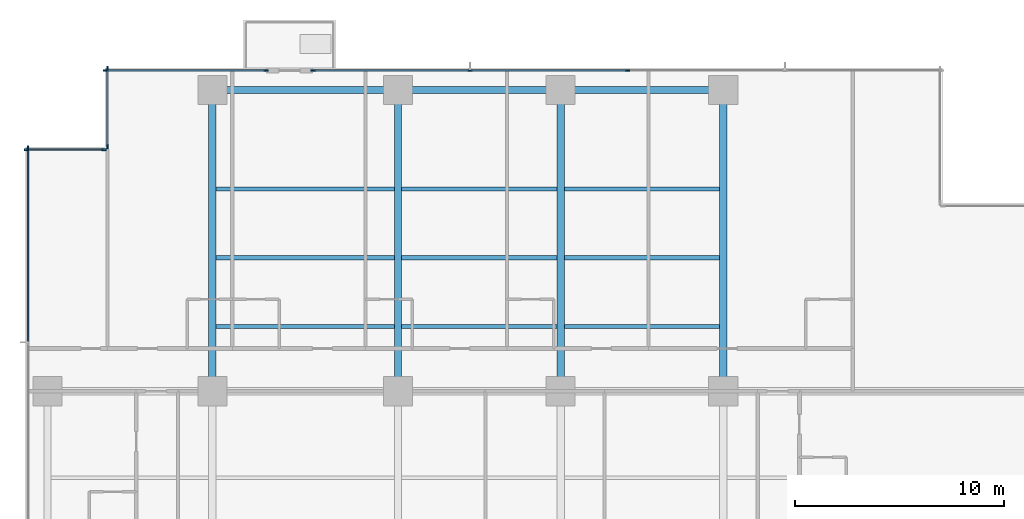
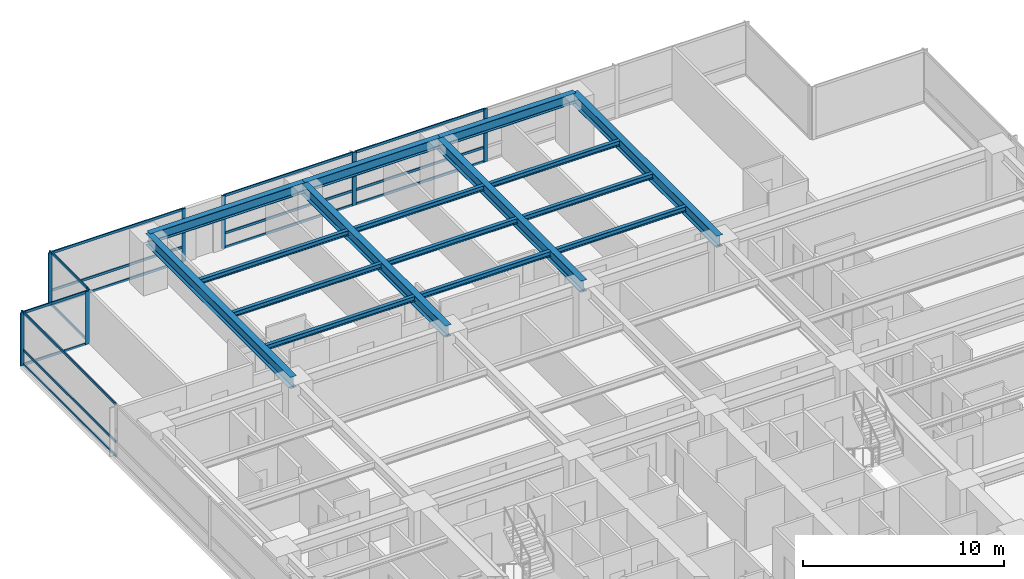
# One storey, part 4 of 17: 26 members, 16 beams, 5 elements without a shape of their own.
"""IFC4 building model written with IfcOpenShell, lengths in metres."""

import ifcopenshell
import ifcopenshell.guid

model = None  # the IFC model being written
_history = None  # IfcOwnerHistory: only IFC2X3 demands one
_inside = {}  # id of a spatial element -> (the spatial element, [elements in it])
_under = {}  # id of a project, library or spatial element -> (it, [spatial elements below it])
_declared = {}  # id of a project -> (the project, [libraries it declares])
_typed = {}  # id of a type object -> (the type object, [elements of that type])
_made_of = {}  # id of a material, layer set ... -> (it, [elements and type objects made of it])


def new_model(schema):
    """Start an empty IFC model of exactly this schema.

    Asked for "IFC4X3", IfcOpenShell would pick the latest addendum, in which some entities
    have other attributes; the version numbers below select the first issue.
    IFC2X3 requires an IfcOwnerHistory on every rooted entity: one is made here for all.
    """
    global model, _history
    if schema == "IFC4X3":
        model = ifcopenshell.file(schema_version=(4, 3, 0, 0))
    else:
        model = ifcopenshell.file(schema=schema)
    _inside.clear()
    _under.clear()
    _declared.clear()
    _typed.clear()
    _made_of.clear()
    _history = None
    if model.schema == "IFC2X3":
        org = make("IfcOrganization", Name="unknown")
        user = make(
            "IfcPersonAndOrganization",
            ThePerson=make("IfcPerson", FamilyName="unknown"),
            TheOrganization=org,
        )
        app = make(
            "IfcApplication",
            ApplicationDeveloper=org,
            Version="unknown",
            ApplicationFullName="unknown",
            ApplicationIdentifier="unknown",
        )
        _history = make(
            "IfcOwnerHistory",
            OwningUser=user,
            OwningApplication=app,
            ChangeAction="ADDED",
            CreationDate=0,
        )
    return model


def make(cls, **values):
    """One entity of the class cls with the attributes given. An attribute that is None is left unset."""
    return model.create_entity(
        cls, **{name: value for name, value in values.items() if value is not None}
    )


def rooted(cls, **values):
    """An entity with a GlobalId (a new one), such as an element, a storey or a relation."""
    return make(cls, GlobalId=ifcopenshell.guid.new(), OwnerHistory=_history, **values)


def si_unit(unit_type, name, prefix=None):
    """IfcSIUnit, for example si_unit("LENGTHUNIT", "METRE", prefix="MILLI")."""
    return make("IfcSIUnit", UnitType=unit_type, Prefix=prefix, Name=name)


def assignment(units):
    """IfcUnitAssignment: the units of a project."""
    return None if units is None else make("IfcUnitAssignment", Units=units)


def point(xyz):
    """IfcCartesianPoint."""
    return None if xyz is None else make("IfcCartesianPoint", Coordinates=xyz)


def direction(xyz):
    """IfcDirection."""
    return None if xyz is None else make("IfcDirection", DirectionRatios=xyz)


def frame(location, z_axis=None, x_axis=None):
    """IfcAxis2Placement3D, a coordinate frame: its origin and axes. An axis left out is left unset."""
    return make(
        "IfcAxis2Placement3D",
        Location=point(location),
        Axis=direction(z_axis),
        RefDirection=direction(x_axis),
    )


def frame_2d(location, x_axis=None):
    """IfcAxis2Placement2D, a coordinate frame in the plane: its origin and x axis."""
    return make(
        "IfcAxis2Placement2D", Location=point(location), RefDirection=direction(x_axis)
    )


def origin():
    """The frame at (0, 0, 0) with its axes left unset."""
    return frame((0.0, 0.0, 0.0))


def origin_2d():
    """The frame at (0, 0) in the plane with its x axis left unset."""
    return frame_2d((0.0, 0.0))


def place(relative_to, where):
    """IfcLocalPlacement: puts the frame where relative to a parent placement (None: the world)."""
    return make(
        "IfcLocalPlacement", PlacementRelTo=relative_to, RelativePlacement=where
    )


def context(
    kind, dimensions, precision=None, world=None, true_north=None, identifier=None
):
    """IfcGeometricRepresentationContext, for example the 3D "Model" context."""
    return make(
        "IfcGeometricRepresentationContext",
        ContextIdentifier=identifier,
        ContextType=kind,
        CoordinateSpaceDimension=dimensions,
        Precision=precision,
        WorldCoordinateSystem=world,
        TrueNorth=true_north,
    )


def subcontext(parent, identifier, kind, view, scale=None):
    """IfcGeometricRepresentationSubContext, for example "Body" below "Model"."""
    return make(
        "IfcGeometricRepresentationSubContext",
        ContextIdentifier=identifier,
        ContextType=kind,
        ParentContext=parent,
        TargetScale=scale,
        TargetView=view,
    )


def project(units=None, contexts=None):
    """IfcProject with its units and contexts."""
    return rooted(
        "IfcProject",
        Name="project",
        RepresentationContexts=contexts,
        UnitsInContext=assignment(units),
    )


def spatial(cls, under=None, at=None, **own):
    """A site, building, storey or space (cls), placed at a placement, below another one or the project."""
    s = rooted(cls, ObjectPlacement=at, **own)
    if under is not None:
        _under.setdefault(under.id(), (under, []))[1].append(s)
    return s


def profile(cls, at=None, kind="AREA", **sizes):
    """A parametric profile (cls). Its sizes go by their IFC names, for example OverallWidth=200.0."""
    return make(cls, ProfileType=kind, Position=at, **sizes)


def rectangle(**sizes):
    """IfcRectangleProfileDef."""
    return profile("IfcRectangleProfileDef", **sizes)


def i_section(**sizes):
    """IfcIShapeProfileDef."""
    return profile("IfcIShapeProfileDef", **sizes)


def extrude(swept, where, along, depth):
    """IfcExtrudedAreaSolid: the profile swept, set in the frame where, extruded along a direction by depth."""
    return make(
        "IfcExtrudedAreaSolid",
        SweptArea=swept,
        Position=where,
        ExtrudedDirection=direction(along),
        Depth=depth,
    )


def shape(context_of_items, identifier, shape_type, items):
    """IfcShapeRepresentation: the items that make up one representation, for example the "Body"."""
    return make(
        "IfcShapeRepresentation",
        ContextOfItems=context_of_items,
        RepresentationIdentifier=identifier,
        RepresentationType=shape_type,
        Items=items,
    )


def material(Name=None, Category=None):
    """IfcMaterial."""
    return make("IfcMaterial", Name=Name, Category=Category)


def layer(
    of_material, thickness, ventilated=None, Name=None, Category=None, Priority=None
):
    """IfcMaterialLayer: one layer of a wall or slab, of a material (None: an air gap)."""
    return make(
        "IfcMaterialLayer",
        Material=of_material,
        LayerThickness=thickness,
        IsVentilated=ventilated,
        Name=Name,
        Category=Category,
        Priority=Priority,
    )


def layer_set(layers, Name=None):
    """IfcMaterialLayerSet."""
    return make("IfcMaterialLayerSet", MaterialLayers=layers, LayerSetName=Name)


def material_profile(
    of_material, cross_section, Name=None, Category=None, Priority=None
):
    """IfcMaterialProfile: a cross section and its material."""
    return make(
        "IfcMaterialProfile",
        Name=Name,
        Material=of_material,
        Profile=cross_section,
        Priority=Priority,
        Category=Category,
    )


def profile_set(profiles, Name=None, composite=None):
    """IfcMaterialProfileSet."""
    return make(
        "IfcMaterialProfileSet",
        Name=Name,
        MaterialProfiles=profiles,
        CompositeProfile=composite,
    )


def made_of(thing, what):
    """Note that an element or type object is made of a material, layer set ...; save() writes the relation."""
    if what is not None:
        _made_of.setdefault(what.id(), (what, []))[1].append(thing)
    return thing


def type_object(cls, material=None, **own):
    """A type object (cls), such as IfcWallType, which elements share."""
    return made_of(rooted(cls, **own), material)


def element(
    cls,
    number,
    at=None,
    inside=None,
    cuts=None,
    type_object=None,
    material=None,
    context=None,
    identifier="Body",
    shape_type=None,
    held_by="IfcProductDefinitionShape",
    body=None,
    shapes=None,
    **own,
):
    """One element of the class cls, such as IfcWall. Its Tag is "e" and its number.

    at: its placement. inside: the storey or other place that contains it. cuts: it is an
    opening in that element (IfcRelVoidsElement). A single representation is given by context,
    identifier, shape_type and body (its items); several are given by shapes. held_by: the class
    of the entity that holds the representations. save() writes the other relations.
    """
    e = rooted(cls, Tag="e%d" % number, ObjectPlacement=at, **own)
    if body is not None:
        shapes = [shape(context, identifier, shape_type, body)]
    if shapes is not None:
        e.Representation = make(held_by, Representations=shapes)
    if inside is not None:
        _inside.setdefault(inside.id(), (inside, []))[1].append(e)
    if cuts is not None:
        rooted(
            "IfcRelVoidsElement", RelatingBuildingElement=cuts, RelatedOpeningElement=e
        )
    if type_object is not None:
        _typed.setdefault(type_object.id(), (type_object, []))[1].append(e)
    return made_of(e, material)


def aggregate(whole, parts):
    """IfcRelAggregates: a whole, such as a stair, and the parts it consists of."""
    return rooted("IfcRelAggregates", RelatingObject=whole, RelatedObjects=parts)


def save(model, path):
    """Write the relations noted so far, then the file.

    IfcRelAggregates (storeys below a building ...), IfcRelContainedInSpatialStructure (elements
    in a storey), IfcRelDefinesByType, IfcRelAssociatesMaterial and IfcRelDeclares: one each for
    every whole, place, type object, material and project.
    """
    for whole, parts in _under.values():
        aggregate(whole, parts)
    for where, things in _inside.values():
        rooted(
            "IfcRelContainedInSpatialStructure",
            RelatedElements=things,
            RelatingStructure=where,
        )
    for kind, things in _typed.values():
        rooted("IfcRelDefinesByType", RelatedObjects=things, RelatingType=kind)
    for what, things in _made_of.values():
        rooted("IfcRelAssociatesMaterial", RelatedObjects=things, RelatingMaterial=what)
    for by, libraries in _declared.values():
        rooted("IfcRelDeclares", RelatingContext=by, RelatedDefinitions=libraries)
    model.write(path)


model = new_model("IFC4")

# Units and contexts
model_context = context("Model", 3, precision=1e-05, world=origin(), true_north=direction((0.0, 1.0)))
body_context = subcontext(model_context, "Body", "Model", "MODEL_VIEW")
ifc_project = project(units=[si_unit("LENGTHUNIT", "METRE"), si_unit("AREAUNIT", "SQUARE_METRE"), si_unit("VOLUMEUNIT", "CUBIC_METRE"), si_unit("PLANEANGLEUNIT", "RADIAN"), si_unit("MASSUNIT", "GRAM", prefix="KILO")], contexts=[model_context])

# Site, building, storey
site_placement = place(None, origin())
site = spatial("IfcSite", under=ifc_project, at=site_placement, CompositionType="ELEMENT")
building_placement = place(site_placement, origin())
building = spatial("IfcBuilding", under=site, at=building_placement, Name="Qalmaran Belvedere Hotel", CompositionType="ELEMENT")
storey_placement = place(building_placement, frame((0.0, 0.0, 33.39990234375)))
storey = spatial("IfcBuildingStorey", under=building, at=storey_placement, Name="L07", CompositionType="ELEMENT", Elevation=33.39990234375)

# Beams
ifc_material_1 = material(Name="Steel S355JR", Category="steel")
ifc_material_profile_1 = material_profile(ifc_material_1, i_section(OverallWidth=0.202880859375, OverallDepth=0.302978515625, WebThickness=0.007568359375, FlangeThickness=0.01318359375, FilletRadius=0.012939453125, at=origin_2d()), Name="W310X60")
ifc_profile_set_1 = profile_set([ifc_material_profile_1], Name="Steel S355JR")
beam_type_1 = type_object("IfcBeamType", Name="BM-JST-W310X60", PredefinedType="JOIST", material=ifc_profile_set_1)
beam_1_placement = place(storey_placement, frame((20.4755859375, 36.10009765625, 3.068603515625), z_axis=(1.0, 0.0, 0.0), x_axis=(0.0, 1.0, 0.0)))
element("IfcBeam", 1, at=beam_1_placement, inside=storey, type_object=beam_type_1, Name="L07 North Floor Joist 042", PredefinedType="JOIST", context=body_context, shape_type="SweptSolid", body=[
    extrude(i_section(OverallWidth=0.202880859375, OverallDepth=0.302978515625, WebThickness=0.007568359375, FlangeThickness=0.01318359375, FilletRadius=0.012939453125, at=origin_2d()), origin(), (0.0, 0.0, 1.0), 8.548828125),
])
for number, where, z_axis, x_axis, name in (
    (2, (29.37548828125, 36.10009765625, 3.068603515625), (1.0, 0.0, 0.0), (0.0, 1.0, 0.0), "L07 North Floor Joist 043"),
    (3, (37.175537109375, 36.10009765625, 3.068603515625), (1.0, 0.0, 0.0), (0.0, 1.0, 0.0), "L07 North Floor Joist 044"),
):
    element("IfcBeam", number, at=place(storey_placement, frame(where, z_axis=z_axis, x_axis=x_axis)), inside=storey, type_object=beam_type_1, Name=name, PredefinedType="JOIST", context=body_context, shape_type="SweptSolid", body=[
        extrude(i_section(OverallWidth=0.202880859375, OverallDepth=0.302978515625, WebThickness=0.007568359375, FlangeThickness=0.01318359375, FilletRadius=0.012939453125, at=origin_2d()), origin(), (0.0, 0.0, 1.0), 7.448974609375),
    ])
beam_2_placement = place(storey_placement, frame((20.4755859375, 39.39990234375, 3.068603515625), z_axis=(1.0, 0.0, 0.0), x_axis=(0.0, 1.0, 0.0)))
element("IfcBeam", 4, at=beam_2_placement, inside=storey, type_object=beam_type_1, Name="L07 North Floor Joist 045", PredefinedType="JOIST", context=body_context, shape_type="SweptSolid", body=[
    extrude(i_section(OverallWidth=0.202880859375, OverallDepth=0.302978515625, WebThickness=0.007568359375, FlangeThickness=0.01318359375, FilletRadius=0.012939453125, at=origin_2d()), origin(), (0.0, 0.0, 1.0), 8.548828125),
])
for number, where, z_axis, x_axis, name in (
    (5, (29.37548828125, 39.39990234375, 3.068603515625), (1.0, 0.0, 0.0), (0.0, 1.0, 0.0), "L07 North Floor Joist 046"),
    (6, (37.175537109375, 39.39990234375, 3.068603515625), (1.0, 0.0, 0.0), (0.0, 1.0, 0.0), "L07 North Floor Joist 047"),
):
    element("IfcBeam", number, at=place(storey_placement, frame(where, z_axis=z_axis, x_axis=x_axis)), inside=storey, type_object=beam_type_1, Name=name, PredefinedType="JOIST", context=body_context, shape_type="SweptSolid", body=[
        extrude(i_section(OverallWidth=0.202880859375, OverallDepth=0.302978515625, WebThickness=0.007568359375, FlangeThickness=0.01318359375, FilletRadius=0.012939453125, at=origin_2d()), origin(), (0.0, 0.0, 1.0), 7.448974609375),
    ])
beam_3_placement = place(storey_placement, frame((20.4755859375, 42.699951171875, 3.068603515625), z_axis=(1.0, 0.0, 0.0), x_axis=(0.0, 1.0, 0.0)))
element("IfcBeam", 7, at=beam_3_placement, inside=storey, type_object=beam_type_1, Name="L07 North Floor Joist 048", PredefinedType="JOIST", context=body_context, shape_type="SweptSolid", body=[
    extrude(i_section(OverallWidth=0.202880859375, OverallDepth=0.302978515625, WebThickness=0.007568359375, FlangeThickness=0.01318359375, FilletRadius=0.012939453125, at=origin_2d()), origin(), (0.0, 0.0, 1.0), 8.548828125),
])
for number, where, z_axis, x_axis, name in (
    (8, (29.37548828125, 42.699951171875, 3.068603515625), (1.0, 0.0, 0.0), (0.0, 1.0, 0.0), "L07 North Floor Joist 049"),
    (9, (37.175537109375, 42.699951171875, 3.068603515625), (1.0, 0.0, 0.0), (0.0, 1.0, 0.0), "L07 North Floor Joist 050"),
):
    element("IfcBeam", number, at=place(storey_placement, frame(where, z_axis=z_axis, x_axis=x_axis)), inside=storey, type_object=beam_type_1, Name=name, PredefinedType="JOIST", context=body_context, shape_type="SweptSolid", body=[
        extrude(i_section(OverallWidth=0.202880859375, OverallDepth=0.302978515625, WebThickness=0.007568359375, FlangeThickness=0.01318359375, FilletRadius=0.012939453125, at=origin_2d()), origin(), (0.0, 0.0, 1.0), 7.448974609375),
    ])
ifc_material_profile_2 = material_profile(ifc_material_1, i_section(OverallWidth=0.326904296875, OverallDepth=0.6220703125, WebThickness=0.015380859375, FlangeThickness=0.0244140625, FilletRadius=0.02001953125, at=origin_2d()), Name="W610X195")
ifc_profile_set_2 = profile_set([ifc_material_profile_2], Name="Steel S355JR")
beam_type_2 = type_object("IfcBeamType", Name="BM-SP1-W610X195", PredefinedType="SPANDREL", material=ifc_profile_set_2)
beam_4_placement = place(storey_placement, frame((20.300048828125, 47.449951171875, 2.9091796875), z_axis=(1.0, 0.0, 0.0), x_axis=(0.0, 1.0, 0.0)))
element("IfcBeam", 10, at=beam_4_placement, inside=storey, type_object=beam_type_2, Name="L07 Perimeter Spandrel 05", PredefinedType="SPANDREL", context=body_context, shape_type="SweptSolid", body=[
    extrude(i_section(OverallWidth=0.326904296875, OverallDepth=0.6220703125, WebThickness=0.015380859375, FlangeThickness=0.0244140625, FilletRadius=0.02001953125, at=origin_2d()), origin(), (0.0, 0.0, 1.0), 8.89990234375),
])
for number, where, z_axis, x_axis, name in (
    (11, (29.199951171875, 47.449951171875, 2.9091796875), (1.0, 0.0, 0.0), (0.0, 1.0, 0.0), "L07 Perimeter Spandrel 06"),
    (12, (37.0, 47.449951171875, 2.9091796875), (1.0, 0.0, 0.0), (0.0, 1.0, 0.0), "L07 Perimeter Spandrel 07"),
):
    element("IfcBeam", number, at=place(storey_placement, frame(where, z_axis=z_axis, x_axis=x_axis)), inside=storey, type_object=beam_type_2, Name=name, PredefinedType="SPANDREL", context=body_context, shape_type="SweptSolid", body=[
        extrude(i_section(OverallWidth=0.326904296875, OverallDepth=0.6220703125, WebThickness=0.015380859375, FlangeThickness=0.0244140625, FilletRadius=0.02001953125, at=origin_2d()), origin(), (0.0, 0.0, 1.0), 7.800048828125),
    ])
ifc_material_profile_3 = material_profile(ifc_material_1, i_section(OverallWidth=0.35498046875, OverallDepth=0.695068359375, WebThickness=0.015380859375, FlangeThickness=0.02490234375, FilletRadius=0.02197265625, at=origin_2d()), Name="W690X217")
ifc_profile_set_3 = profile_set([ifc_material_profile_3], Name="Steel S355JR")
beam_type_3 = type_object("IfcBeamType", Name="BM-Z1-W690X217", PredefinedType="USERDEFINED", material=ifc_profile_set_3)
for number, where, z_axis, x_axis, name in (
    (13, (20.300048828125, 33.0, 2.87255859375), (0.0, 1.0, 0.0), (-1.0, 0.0, 0.0), "L07 North Bay Girder 15"),
    (14, (29.199951171875, 33.0, 2.87255859375), (0.0, 1.0, 0.0), (-1.0, 0.0, 0.0), "L07 North Bay Girder 17"),
    (15, (37.0, 33.0, 2.87255859375), (0.0, 1.0, 0.0), (-1.0, 0.0, 0.0), "L07 North Bay Girder 19"),
    (16, (44.800048828125, 33.0, 2.87255859375), (0.0, 1.0, 0.0), (-1.0, 0.0, 0.0), "L07 North Bay Girder 21"),
):
    element("IfcBeam", number, at=place(storey_placement, frame(where, z_axis=z_axis, x_axis=x_axis)), inside=storey, type_object=beam_type_3, Name=name, ObjectType="GIRDER", PredefinedType="USERDEFINED", context=body_context, shape_type="SweptSolid", body=[
        extrude(i_section(OverallWidth=0.35498046875, OverallDepth=0.695068359375, WebThickness=0.015380859375, FlangeThickness=0.02490234375, FilletRadius=0.02197265625, at=origin_2d()), origin(), (0.0, 0.0, 1.0), 14.449951171875),
    ])

# Curtain wall, members
ifc_material_2 = material(Name="Anodised Bronze Aluminium", Category="aluminium")
ifc_layer = layer(ifc_material_2, 0.2099609375, Name="Anodised Bronze Aluminium")
ifc_layer_set = layer_set([ifc_layer], Name="Anodised Bronze Aluminium")
curtain_wall_type = type_object("IfcCurtainWallType", Name="CW2-TOWER-LOWER", PredefinedType="NOTDEFINED", material=ifc_layer_set)
curtain_wall_1_placement = place(storey_placement, origin())
curtain_wall_1 = element("IfcCurtainWall", 17, at=curtain_wall_1_placement, inside=storey, type_object=curtain_wall_type, Name="L07 Curtain Wall CW2", PredefinedType="NOTDEFINED")
ifc_material_profile_4 = material_profile(ifc_material_2, rectangle(XDim=0.074951171875, YDim=0.219970703125, at=origin_2d()), Name="CWM75X220")
ifc_profile_set_4 = profile_set([ifc_material_profile_4], Name="Anodised Bronze Aluminium")
member_type_1 = type_object("IfcMemberType", Name="CWM-75X220", PredefinedType="MULLION", material=ifc_profile_set_4)
member_1_placement = place(storey_placement, frame((22.862548828125, 48.3798828125, 0.0), z_axis=(0.0, 0.0, 1.0), x_axis=(0.0, -1.0, 0.0)))
member_1 = element("IfcMember", 18, at=member_1_placement, type_object=member_type_1, Name="CW2 mullion 1", PredefinedType="MULLION", context=body_context, shape_type="SweptSolid", body=[
    extrude(rectangle(XDim=0.074951171875, YDim=0.219970703125, at=origin_2d()), origin(), (0.0, 0.0, 1.0), 3.22021484375),
])
member_2_placement = place(storey_placement, frame((15.1875, 48.3798828125, 0.0), z_axis=(0.0, 0.0, 1.0), x_axis=(0.0, -1.0, 0.0)))
member_2 = element("IfcMember", 19, at=member_2_placement, type_object=member_type_1, Name="CW2 mullion 2", PredefinedType="MULLION", context=body_context, shape_type="SweptSolid", body=[
    extrude(rectangle(XDim=0.074951171875, YDim=0.219970703125, at=origin_2d()), origin(), (0.0, 0.0, 1.0), 3.22021484375),
])

curtain_wall_2_placement = place(storey_placement, origin())
curtain_wall_2 = element("IfcCurtainWall", 20, at=curtain_wall_2_placement, inside=storey, type_object=curtain_wall_type, Name="L07 Curtain Wall CW2", PredefinedType="NOTDEFINED")
member_3_placement = place(storey_placement, frame((40.199951171875, 48.3798828125, 0.0), z_axis=(0.0, 0.0, 1.0), x_axis=(0.0, -1.0, 0.0)))
member_3 = element("IfcMember", 21, at=member_3_placement, type_object=member_type_1, Name="CW2 mullion 3", PredefinedType="MULLION", context=body_context, shape_type="SweptSolid", body=[
    extrude(rectangle(XDim=0.074951171875, YDim=0.219970703125, at=origin_2d()), origin(), (0.0, 0.0, 1.0), 3.22021484375),
])
member_4_placement = place(storey_placement, frame((32.64990234375, 48.3798828125, 0.0), z_axis=(0.0, 0.0, 1.0), x_axis=(0.0, -1.0, 0.0)))
member_4 = element("IfcMember", 22, at=member_4_placement, type_object=member_type_1, Name="CW2 mullion 4", PredefinedType="MULLION", context=body_context, shape_type="SweptSolid", body=[
    extrude(rectangle(XDim=0.074951171875, YDim=0.219970703125, at=origin_2d()), origin(), (0.0, 0.0, 1.0), 3.22021484375),
])
member_5_placement = place(storey_placement, frame((25.137451171875, 48.3798828125, 0.0), z_axis=(0.0, 0.0, 1.0), x_axis=(0.0, -1.0, 0.0)))
member_5 = element("IfcMember", 23, at=member_5_placement, type_object=member_type_1, Name="CW2 mullion 5", PredefinedType="MULLION", context=body_context, shape_type="SweptSolid", body=[
    extrude(rectangle(XDim=0.074951171875, YDim=0.219970703125, at=origin_2d()), origin(), (0.0, 0.0, 1.0), 3.22021484375),
])

curtain_wall_3_placement = place(storey_placement, origin())
curtain_wall_3 = element("IfcCurtainWall", 24, at=curtain_wall_3_placement, inside=storey, type_object=curtain_wall_type, Name="L07 Curtain Wall CW2", PredefinedType="NOTDEFINED")
member_6_placement = place(storey_placement, frame((15.27001953125, 48.46240234375, 0.0), z_axis=(0.0, 0.0, 1.0), x_axis=(1.0, 0.0, 0.0)))
member_6 = element("IfcMember", 25, at=member_6_placement, type_object=member_type_1, Name="CW2 mullion 1", PredefinedType="MULLION", context=body_context, shape_type="SweptSolid", body=[
    extrude(rectangle(XDim=0.074951171875, YDim=0.219970703125, at=origin_2d()), origin(), (0.0, 0.0, 1.0), 3.22021484375),
])
member_7_placement = place(storey_placement, frame((15.27001953125, 44.737548828125, 0.0), z_axis=(0.0, 0.0, 1.0), x_axis=(1.0, 0.0, 0.0)))
member_7 = element("IfcMember", 26, at=member_7_placement, type_object=member_type_1, Name="CW2 mullion 2", PredefinedType="MULLION", context=body_context, shape_type="SweptSolid", body=[
    extrude(rectangle(XDim=0.074951171875, YDim=0.219970703125, at=origin_2d()), origin(), (0.0, 0.0, 1.0), 3.22021484375),
])

curtain_wall_4_placement = place(storey_placement, origin())
curtain_wall_4 = element("IfcCurtainWall", 27, at=curtain_wall_4_placement, inside=storey, type_object=curtain_wall_type, Name="L07 Curtain Wall CW2", PredefinedType="NOTDEFINED")
member_8_placement = place(storey_placement, frame((15.112548828125, 44.580078125, 0.0), z_axis=(0.0, 0.0, 1.0), x_axis=(0.0, -1.0, 0.0)))
member_8 = element("IfcMember", 28, at=member_8_placement, type_object=member_type_1, Name="CW2 mullion 1", PredefinedType="MULLION", context=body_context, shape_type="SweptSolid", body=[
    extrude(rectangle(XDim=0.074951171875, YDim=0.219970703125, at=origin_2d()), origin(), (0.0, 0.0, 1.0), 3.22021484375),
])
member_9_placement = place(storey_placement, frame((11.387451171875, 44.580078125, 0.0), z_axis=(0.0, 0.0, 1.0), x_axis=(0.0, -1.0, 0.0)))
member_9 = element("IfcMember", 29, at=member_9_placement, type_object=member_type_1, Name="CW2 mullion 2", PredefinedType="MULLION", context=body_context, shape_type="SweptSolid", body=[
    extrude(rectangle(XDim=0.074951171875, YDim=0.219970703125, at=origin_2d()), origin(), (0.0, 0.0, 1.0), 3.22021484375),
])

# Curtain wall, member
curtain_wall_5_placement = place(storey_placement, origin())
curtain_wall_5 = element("IfcCurtainWall", 30, at=curtain_wall_5_placement, inside=storey, type_object=curtain_wall_type, Name="L07 Curtain Wall CW2", PredefinedType="NOTDEFINED")
member_10_placement = place(storey_placement, frame((11.469970703125, 44.66259765625, 0.0), z_axis=(0.0, 0.0, 1.0), x_axis=(1.0, 0.0, 0.0)))
member_10 = element("IfcMember", 31, at=member_10_placement, type_object=member_type_1, Name="CW2 mullion 1", PredefinedType="MULLION", context=body_context, shape_type="SweptSolid", body=[
    extrude(rectangle(XDim=0.074951171875, YDim=0.219970703125, at=origin_2d()), origin(), (0.0, 0.0, 1.0), 3.22021484375),
])

# Member
ifc_material_profile_5 = material_profile(ifc_material_2, rectangle(XDim=0.070068359375, YDim=0.14990234375, at=origin_2d()), Name="CWT70X150")
ifc_profile_set_5 = profile_set([ifc_material_profile_5], Name="Anodised Bronze Aluminium")
member_type_2 = type_object("IfcMemberType", Name="CWT-70X150", PredefinedType="USERDEFINED", material=ifc_profile_set_5)
member_11_placement = place(storey_placement, frame((22.824951171875, 48.3798828125, 0.03515625), z_axis=(-1.0, 0.0, 0.0), x_axis=(0.0, -1.0, 0.0)))
member_11 = element("IfcMember", 32, at=member_11_placement, type_object=member_type_2, Name="CW2 transom 1.1", ObjectType="TRANSOM", PredefinedType="USERDEFINED", context=body_context, shape_type="SweptSolid", body=[
    extrude(rectangle(XDim=0.070068359375, YDim=0.14990234375, at=origin_2d()), origin(), (0.0, 0.0, 1.0), 7.599853515625),
])

member_12_placement = place(storey_placement, frame((22.824951171875, 48.3798828125, 0.901611328125), z_axis=(-1.0, 0.0, 0.0), x_axis=(0.0, -1.0, 0.0)))
member_12 = element("IfcMember", 33, at=member_12_placement, type_object=member_type_2, Name="CW2 transom 1.2", ObjectType="TRANSOM", PredefinedType="USERDEFINED", context=body_context, shape_type="SweptSolid", body=[
    extrude(rectangle(XDim=0.070068359375, YDim=0.14990234375, at=origin_2d()), origin(), (0.0, 0.0, 1.0), 7.599853515625),
])

member_13_placement = place(storey_placement, frame((22.824951171875, 48.3798828125, 3.18505859375), z_axis=(-1.0, 0.0, 0.0), x_axis=(0.0, -1.0, 0.0)))
member_13 = element("IfcMember", 34, at=member_13_placement, type_object=member_type_2, Name="CW2 transom 1.3", ObjectType="TRANSOM", PredefinedType="USERDEFINED", context=body_context, shape_type="SweptSolid", body=[
    extrude(rectangle(XDim=0.070068359375, YDim=0.14990234375, at=origin_2d()), origin(), (0.0, 0.0, 1.0), 7.599853515625),
])

aggregate(curtain_wall_1, [member_1, member_2, member_11, member_12, member_13])

member_14_placement = place(storey_placement, frame((40.16259765625, 48.3798828125, 0.03515625), z_axis=(-1.0, 0.0, 0.0), x_axis=(0.0, -1.0, 0.0)))
member_14 = element("IfcMember", 35, at=member_14_placement, type_object=member_type_2, Name="CW2 transom 3.1", ObjectType="TRANSOM", PredefinedType="USERDEFINED", context=body_context, shape_type="SweptSolid", body=[
    extrude(rectangle(XDim=0.070068359375, YDim=0.14990234375, at=origin_2d()), origin(), (0.0, 0.0, 1.0), 7.47509765625),
])

member_15_placement = place(storey_placement, frame((40.16259765625, 48.3798828125, 0.901611328125), z_axis=(-1.0, 0.0, 0.0), x_axis=(0.0, -1.0, 0.0)))
member_15 = element("IfcMember", 36, at=member_15_placement, type_object=member_type_2, Name="CW2 transom 3.2", ObjectType="TRANSOM", PredefinedType="USERDEFINED", context=body_context, shape_type="SweptSolid", body=[
    extrude(rectangle(XDim=0.070068359375, YDim=0.14990234375, at=origin_2d()), origin(), (0.0, 0.0, 1.0), 7.47509765625),
])

member_16_placement = place(storey_placement, frame((40.16259765625, 48.3798828125, 3.18505859375), z_axis=(-1.0, 0.0, 0.0), x_axis=(0.0, -1.0, 0.0)))
member_16 = element("IfcMember", 37, at=member_16_placement, type_object=member_type_2, Name="CW2 transom 3.3", ObjectType="TRANSOM", PredefinedType="USERDEFINED", context=body_context, shape_type="SweptSolid", body=[
    extrude(rectangle(XDim=0.070068359375, YDim=0.14990234375, at=origin_2d()), origin(), (0.0, 0.0, 1.0), 7.47509765625),
])

member_17_placement = place(storey_placement, frame((32.612548828125, 48.3798828125, 0.03515625), z_axis=(-1.0, 0.0, 0.0), x_axis=(0.0, -1.0, 0.0)))
member_17 = element("IfcMember", 38, at=member_17_placement, type_object=member_type_2, Name="CW2 transom 4.1", ObjectType="TRANSOM", PredefinedType="USERDEFINED", context=body_context, shape_type="SweptSolid", body=[
    extrude(rectangle(XDim=0.070068359375, YDim=0.14990234375, at=origin_2d()), origin(), (0.0, 0.0, 1.0), 7.4375),
])

member_18_placement = place(storey_placement, frame((32.612548828125, 48.3798828125, 0.901611328125), z_axis=(-1.0, 0.0, 0.0), x_axis=(0.0, -1.0, 0.0)))
member_18 = element("IfcMember", 39, at=member_18_placement, type_object=member_type_2, Name="CW2 transom 4.2", ObjectType="TRANSOM", PredefinedType="USERDEFINED", context=body_context, shape_type="SweptSolid", body=[
    extrude(rectangle(XDim=0.070068359375, YDim=0.14990234375, at=origin_2d()), origin(), (0.0, 0.0, 1.0), 7.4375),
])

member_19_placement = place(storey_placement, frame((32.612548828125, 48.3798828125, 3.18505859375), z_axis=(-1.0, 0.0, 0.0), x_axis=(0.0, -1.0, 0.0)))
member_19 = element("IfcMember", 40, at=member_19_placement, type_object=member_type_2, Name="CW2 transom 4.3", ObjectType="TRANSOM", PredefinedType="USERDEFINED", context=body_context, shape_type="SweptSolid", body=[
    extrude(rectangle(XDim=0.070068359375, YDim=0.14990234375, at=origin_2d()), origin(), (0.0, 0.0, 1.0), 7.4375),
])

aggregate(curtain_wall_2, [member_3, member_4, member_5, member_14, member_15, member_16, member_17, member_18, member_19])

member_20_placement = place(storey_placement, frame((15.27001953125, 48.425048828125, 0.03515625), z_axis=(0.0, -1.0, 0.0), x_axis=(1.0, 0.0, 0.0)))
member_20 = element("IfcMember", 41, at=member_20_placement, type_object=member_type_2, Name="CW2 transom 1.1", ObjectType="TRANSOM", PredefinedType="USERDEFINED", context=body_context, shape_type="SweptSolid", body=[
    extrude(rectangle(XDim=0.070068359375, YDim=0.14990234375, at=origin_2d()), origin(), (0.0, 0.0, 1.0), 3.650146484375),
])

member_21_placement = place(storey_placement, frame((15.27001953125, 48.425048828125, 3.18505859375), z_axis=(0.0, -1.0, 0.0), x_axis=(1.0, 0.0, 0.0)))
member_21 = element("IfcMember", 42, at=member_21_placement, type_object=member_type_2, Name="CW2 transom 1.2", ObjectType="TRANSOM", PredefinedType="USERDEFINED", context=body_context, shape_type="SweptSolid", body=[
    extrude(rectangle(XDim=0.070068359375, YDim=0.14990234375, at=origin_2d()), origin(), (0.0, 0.0, 1.0), 3.650146484375),
])

aggregate(curtain_wall_3, [member_6, member_7, member_20, member_21])

member_22_placement = place(storey_placement, frame((15.074951171875, 44.580078125, 0.03515625), z_axis=(-1.0, 0.0, 0.0), x_axis=(0.0, -1.0, 0.0)))
member_22 = element("IfcMember", 43, at=member_22_placement, type_object=member_type_2, Name="CW2 transom 1.1", ObjectType="TRANSOM", PredefinedType="USERDEFINED", context=body_context, shape_type="SweptSolid", body=[
    extrude(rectangle(XDim=0.070068359375, YDim=0.14990234375, at=origin_2d()), origin(), (0.0, 0.0, 1.0), 3.64990234375),
])

member_23_placement = place(storey_placement, frame((15.074951171875, 44.580078125, 3.18505859375), z_axis=(-1.0, 0.0, 0.0), x_axis=(0.0, -1.0, 0.0)))
member_23 = element("IfcMember", 44, at=member_23_placement, type_object=member_type_2, Name="CW2 transom 1.2", ObjectType="TRANSOM", PredefinedType="USERDEFINED", context=body_context, shape_type="SweptSolid", body=[
    extrude(rectangle(XDim=0.070068359375, YDim=0.14990234375, at=origin_2d()), origin(), (0.0, 0.0, 1.0), 3.64990234375),
])

aggregate(curtain_wall_4, [member_8, member_9, member_22, member_23])

member_24_placement = place(storey_placement, frame((11.469970703125, 44.625, 0.03515625), z_axis=(0.0, -1.0, 0.0), x_axis=(1.0, 0.0, 0.0)))
member_24 = element("IfcMember", 45, at=member_24_placement, type_object=member_type_2, Name="CW2 transom 1.1", ObjectType="TRANSOM", PredefinedType="USERDEFINED", context=body_context, shape_type="SweptSolid", body=[
    extrude(rectangle(XDim=0.070068359375, YDim=0.14990234375, at=origin_2d()), origin(), (0.0, 0.0, 1.0), 9.237548828125),
])

member_25_placement = place(storey_placement, frame((11.469970703125, 44.625, 0.901611328125), z_axis=(0.0, -1.0, 0.0), x_axis=(1.0, 0.0, 0.0)))
member_25 = element("IfcMember", 46, at=member_25_placement, type_object=member_type_2, Name="CW2 transom 1.2", ObjectType="TRANSOM", PredefinedType="USERDEFINED", context=body_context, shape_type="SweptSolid", body=[
    extrude(rectangle(XDim=0.070068359375, YDim=0.14990234375, at=origin_2d()), origin(), (0.0, 0.0, 1.0), 9.237548828125),
])

member_26_placement = place(storey_placement, frame((11.469970703125, 44.625, 3.18505859375), z_axis=(0.0, -1.0, 0.0), x_axis=(1.0, 0.0, 0.0)))
member_26 = element("IfcMember", 47, at=member_26_placement, type_object=member_type_2, Name="CW2 transom 1.3", ObjectType="TRANSOM", PredefinedType="USERDEFINED", context=body_context, shape_type="SweptSolid", body=[
    extrude(rectangle(XDim=0.070068359375, YDim=0.14990234375, at=origin_2d()), origin(), (0.0, 0.0, 1.0), 9.237548828125),
])

aggregate(curtain_wall_5, [member_10, member_24, member_25, member_26])

save(model, "model.ifc")
